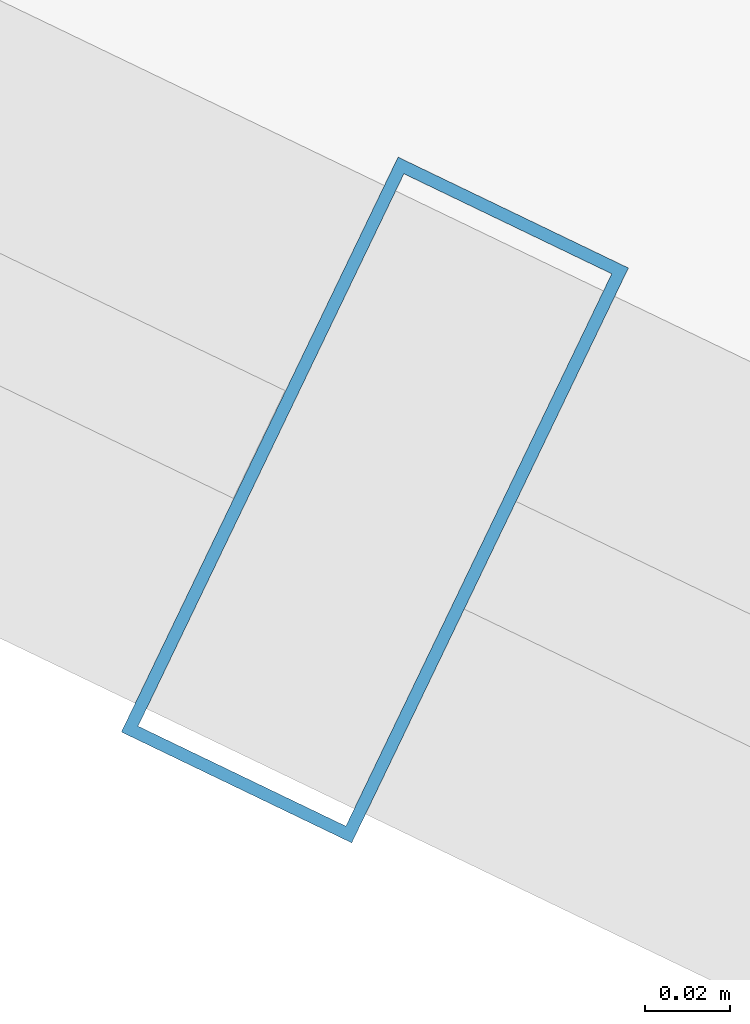
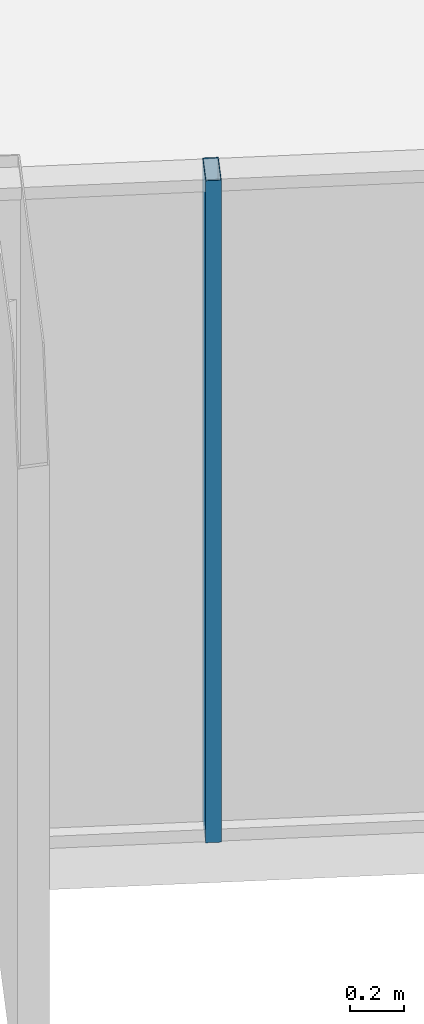
# One storey, part 4 of 34: 1 member, 1 element without a shape of its own.
"""IFC4 building model written with IfcOpenShell, lengths in metres."""

from ifc_helpers import new_model, si_unit, direction, frame, origin, origin_2d, place, context, subcontext, project, spatial, hollow_rectangle, extrude, source, transform, mapped, material, layer, layer_set, material_profile, profile_set, type_object, element, aggregate, save


model = new_model("IFC4")

# Units and contexts
model_context = context("Model", 3, precision=1e-05, world=origin(), true_north=direction((0.0, 1.0)))
body_context = subcontext(model_context, "Body", "Model", "MODEL_VIEW")
ifc_project = project(units=[si_unit("LENGTHUNIT", "METRE"), si_unit("AREAUNIT", "SQUARE_METRE"), si_unit("VOLUMEUNIT", "CUBIC_METRE"), si_unit("PLANEANGLEUNIT", "RADIAN"), si_unit("MASSUNIT", "GRAM", prefix="KILO")], contexts=[model_context])

# Site, building, storey
site_placement = place(None, origin())
site = spatial("IfcSite", under=ifc_project, at=site_placement, CompositionType="ELEMENT")
building_placement = place(site_placement, origin())
building = spatial("IfcBuilding", under=site, at=building_placement, Name="Veraguas Prism Commons", CompositionType="ELEMENT")
storey_placement = place(building_placement, frame((0.0, 0.0, 191.85009765625)))
storey = spatial("IfcBuildingStorey", under=building, at=storey_placement, Name="L54", CompositionType="ELEMENT", Elevation=191.85009765625)

# Curtain wall, member
ifc_material = material(Name="Anodised aluminium EN AW-6063 T6", Category="aluminium")
ifc_layer = layer(ifc_material, 0.14990234375, Name="Unitised Flush Curtain Wall Zone 3", Category="aluminium")
ifc_layer_set = layer_set([ifc_layer], Name="Anodised aluminium EN AW-6063 T6")
curtain_wall_type = type_object("IfcCurtainWallType", Name="Unitised Flush Curtain Wall Zone 3", PredefinedType="NOTDEFINED", material=ifc_layer_set)
curtain_wall_placement = place(storey_placement, origin())
curtain_wall = element("IfcCurtainWall", 1, at=curtain_wall_placement, inside=storey, type_object=curtain_wall_type, Name="Tower Facade Curtain Wall L54-F4", PredefinedType="NOTDEFINED")
ifc_material_profile = material_profile(ifc_material, hollow_rectangle(XDim=0.06005859375, YDim=0.14990234375, WallThickness=0.0029296875, at=origin_2d()), Name="AL60X150X3")
ifc_profile_set = profile_set([ifc_material_profile], Name="Anodised aluminium EN AW-6063 T6")
member_type = type_object("IfcMemberType", Name="Curtain Wall Mullion Upper AL 60x150x3", PredefinedType="MULLION", material=ifc_profile_set)
shared_shape = source(origin(), body_context, "Body", "SweptSolid", [
    extrude(hollow_rectangle(XDim=0.06005859375, YDim=0.14990234375, WallThickness=0.0029296875, at=origin_2d()), origin(), (0.0, 0.0, 1.0), 3.014892578125),
])
member_placement = place(storey_placement, frame((19.902099609375, 6.317626953125, 0.0), z_axis=(0.0, 0.0, 1.0), x_axis=(0.901073993789, -0.433665375281, 0.0)))
member = element("IfcMember", 2, at=member_placement, type_object=member_type, Name="CW-Z3 Mullion 4", PredefinedType="MULLION", context=body_context, shape_type="MappedRepresentation", body=[
    mapped(shared_shape, transform((0.0, 0.0, 0.0), scale=1.0)),
])
aggregate(curtain_wall, [member])

save(model, "model.ifc")
